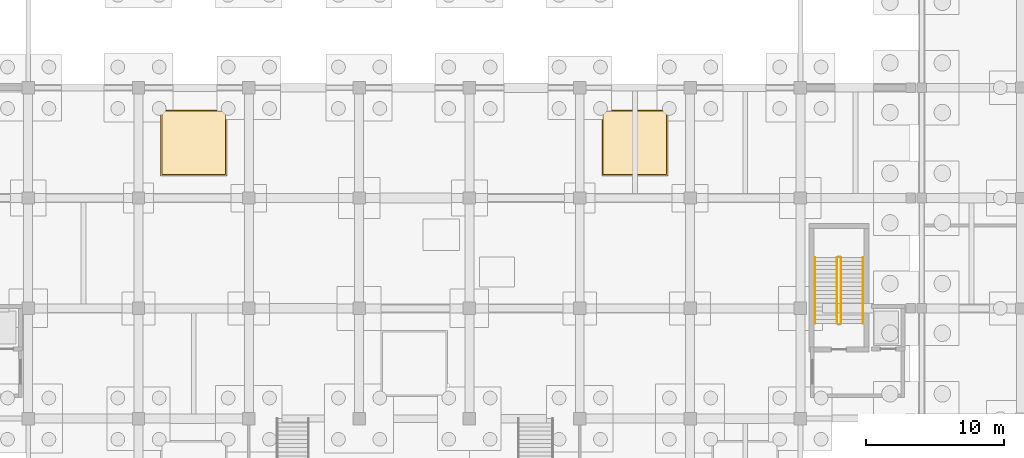
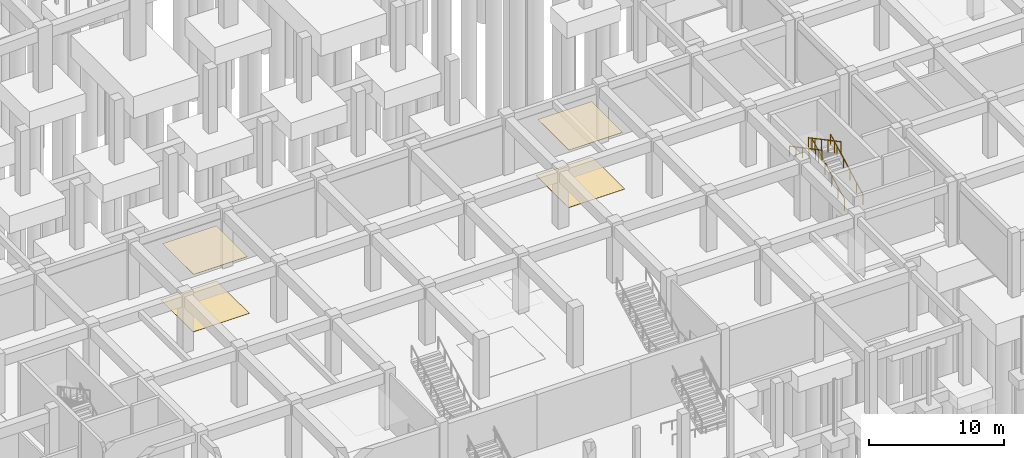
# One storey, part 39 of 45: 4 coverings, 4 railings.
"""IFC4 building model written with IfcOpenShell, lengths in metres."""

from ifc_helpers import new_model, si_unit, direction, frame, origin, origin_2d, place, context, subcontext, project, spatial, rectangle, circle, extrude, material, layer, layer_set, type_object, element, save


model = new_model("IFC4")

# Units and contexts
model_context = context("Model", 3, precision=1e-05, world=origin(), true_north=direction((0.0, 1.0)))
body_context = subcontext(model_context, "Body", "Model", "MODEL_VIEW")
ifc_project = project(units=[si_unit("LENGTHUNIT", "METRE"), si_unit("AREAUNIT", "SQUARE_METRE"), si_unit("VOLUMEUNIT", "CUBIC_METRE"), si_unit("PLANEANGLEUNIT", "RADIAN"), si_unit("MASSUNIT", "GRAM", prefix="KILO")], contexts=[model_context])

# Site, building, storey
site_placement = place(None, origin())
site = spatial("IfcSite", under=ifc_project, at=site_placement, CompositionType="ELEMENT")
building_placement = place(site_placement, origin())
building = spatial("IfcBuilding", under=site, at=building_placement, Name="Kenh Van Central Station", CompositionType="ELEMENT")
storey_placement = place(building_placement, frame((0.0, 0.0, -5.39990234375)))
storey = spatial("IfcBuildingStorey", under=building, at=storey_placement, Name="B1", CompositionType="ELEMENT", Elevation=-5.39990234375)

# Coverings
ifc_material_1 = material(Name="Perforated acoustic mineral ceiling board")
ifc_layer_1 = layer(ifc_material_1, 0.02490234375, Name="Perforated acoustic mineral ceiling board")
ifc_layer_set_1 = layer_set([ifc_layer_1], Name="Perforated acoustic mineral ceiling board")
covering_type_1 = type_object("IfcCoveringType", Name="COV-CEIL-ACOUST", PredefinedType="CEILING", material=ifc_layer_set_1)
for number, where, z_axis, x_axis, name in (
    (1, (68.0, 36.0, 5.076904296875), (0.0, 0.0, 1.0), (1.0, 0.0, 0.0), "B1 acoustic ceiling panel 007"),
    (2, (100.0, 36.0, 5.076904296875), (0.0, 0.0, 1.0), (1.0, 0.0, 0.0), "B1 acoustic ceiling panel 008"),
):
    element("IfcCovering", number, at=place(storey_placement, frame(where, z_axis=z_axis, x_axis=x_axis)), inside=storey, type_object=covering_type_1, Name=name, PredefinedType="CEILING", context=body_context, shape_type="SweptSolid", body=[
        extrude(rectangle(XDim=4.60009765625, YDim=4.60009765625, at=origin_2d()), origin(), (0.0, 0.0, 1.0), 0.02490234375),
    ])
ifc_material_2 = material(Name="Polished station granite terrazzo", Category="masonry")
ifc_layer_2 = layer(ifc_material_2, 0.02001953125, Name="Polished station granite terrazzo")
ifc_layer_set_2 = layer_set([ifc_layer_2], Name="Polished station granite terrazzo")
covering_type_2 = type_object("IfcCoveringType", Name="COV-FLR-GRANITE", PredefinedType="FLOORING", material=ifc_layer_set_2)
for number, where, z_axis, x_axis, name in (
    (3, (68.0, 36.0, 0.0), (0.0, 0.0, 1.0), (1.0, 0.0, 0.0), "B1 granite floor finish 007"),
    (4, (100.0, 36.0, 0.0), (0.0, 0.0, 1.0), (1.0, 0.0, 0.0), "B1 granite floor finish 008"),
):
    element("IfcCovering", number, at=place(storey_placement, frame(where, z_axis=z_axis, x_axis=x_axis)), inside=storey, type_object=covering_type_2, Name=name, PredefinedType="FLOORING", context=body_context, shape_type="SweptSolid", body=[
        extrude(rectangle(XDim=4.800048828125, YDim=4.800048828125, at=origin_2d()), origin(), (0.0, 0.0, 1.0), 0.02001953125),
    ])

# Railings
ifc_material_3 = material(Name="Champagne anodised aluminium", Category="aluminium")
railing_type_1 = type_object("IfcRailingType", Name="RAIL-CORE-GRD110", PredefinedType="GUARDRAIL", material=ifc_material_3)
railing_1_placement = place(storey_placement, frame((114.949951171875, 22.89990234375, 0.15869140625)))
element("IfcRailing", 5, at=railing_1_placement, inside=storey, type_object=railing_type_1, Name="B1 ST-04 stair guard 1", PredefinedType="GUARDRAIL", context=body_context, shape_type="SweptSolid", body=[
    extrude(circle(Radius=0.02392578125, at=origin_2d()), frame((0.0, 0.0, 1.076171875), z_axis=(0.0, 0.883783542688, 0.467895981682), x_axis=(-1.0, 0.0, 0.0)), (0.0, 0.0, 1.0), 5.43115234375),
    extrude(circle(Radius=0.02099609375, at=origin_2d()), origin(), (0.0, 0.0, 1.0), 1.052001953125),
    extrude(circle(Radius=0.02099609375, at=origin_2d()), frame((0.0, 0.9599609375, 0.50830078125)), (0.0, 0.0, 1.0), 1.052001953125),
    extrude(circle(Radius=0.02099609375, at=origin_2d()), frame((0.0, 1.919921875, 1.0166015625)), (0.0, 0.0, 1.0), 1.052001953125),
    extrude(circle(Radius=0.02099609375, at=origin_2d()), frame((0.0, 2.880126953125, 1.524658203125)), (0.0, 0.0, 1.0), 1.052001953125),
    extrude(circle(Radius=0.02099609375, at=origin_2d()), frame((0.0, 3.840087890625, 2.032958984375)), (0.0, 0.0, 1.0), 1.052001953125),
    extrude(circle(Radius=0.02099609375, at=origin_2d()), frame((0.0, 4.800048828125, 2.541259765625)), (0.0, 0.0, 1.0), 1.052001953125),
])
railing_2_placement = place(storey_placement, frame((114.64990234375, 27.699951171875, 2.858642578125)))
element("IfcRailing", 6, at=railing_2_placement, inside=storey, type_object=railing_type_1, Name="B1 ST-04 stair guard 3", PredefinedType="GUARDRAIL", context=body_context, shape_type="SweptSolid", body=[
    extrude(circle(Radius=0.02392578125, at=origin_2d()), frame((0.0, 0.0, 1.076171875), z_axis=(0.0, -0.883783542688, 0.467895981682), x_axis=(1.0, 0.0, 0.0)), (0.0, 0.0, 1.0), 5.43115234375),
    extrude(circle(Radius=0.02099609375, at=origin_2d()), origin(), (0.0, 0.0, 1.0), 1.052001953125),
    extrude(circle(Radius=0.02099609375, at=origin_2d()), frame((0.0, -0.9599609375, 0.50830078125)), (0.0, 0.0, 1.0), 1.052001953125),
    extrude(circle(Radius=0.02099609375, at=origin_2d()), frame((0.0, -1.919921875, 1.0166015625)), (0.0, 0.0, 1.0), 1.052001953125),
    extrude(circle(Radius=0.02099609375, at=origin_2d()), frame((0.0, -2.880126953125, 1.524658203125)), (0.0, 0.0, 1.0), 1.052001953125),
    extrude(circle(Radius=0.02099609375, at=origin_2d()), frame((0.0, -3.840087890625, 2.032958984375)), (0.0, 0.0, 1.0), 1.052001953125),
    extrude(circle(Radius=0.02099609375, at=origin_2d()), frame((0.0, -4.800048828125, 2.541259765625)), (0.0, 0.0, 1.0), 1.052001953125),
])
railing_type_2 = type_object("IfcRailingType", Name="RAIL-CORE-HND90", PredefinedType="HANDRAIL", material=ifc_material_3)
railing_3_placement = place(storey_placement, frame((116.550048828125, 22.89990234375, 0.15869140625)))
element("IfcRailing", 7, at=railing_3_placement, inside=storey, type_object=railing_type_2, Name="B1 ST-04 stair handrail 1", PredefinedType="HANDRAIL", context=body_context, shape_type="SweptSolid", body=[
    extrude(circle(Radius=0.02392578125, at=origin_2d()), frame((0.0, 0.0, 0.8759765625), z_axis=(0.0, 0.883783542688, 0.467895981682), x_axis=(-1.0, 0.0, 0.0)), (0.0, 0.0, 1.0), 5.43115234375),
    extrude(circle(Radius=0.02099609375, at=origin_2d()), origin(), (0.0, 0.0, 1.0), 0.851806640625),
    extrude(circle(Radius=0.02099609375, at=origin_2d()), frame((0.0, 0.9599609375, 0.50830078125)), (0.0, 0.0, 1.0), 0.851806640625),
    extrude(circle(Radius=0.02099609375, at=origin_2d()), frame((0.0, 1.919921875, 1.0166015625)), (0.0, 0.0, 1.0), 0.851806640625),
    extrude(circle(Radius=0.02099609375, at=origin_2d()), frame((0.0, 2.880126953125, 1.524658203125)), (0.0, 0.0, 1.0), 0.851806640625),
    extrude(circle(Radius=0.02099609375, at=origin_2d()), frame((0.0, 3.840087890625, 2.032958984375)), (0.0, 0.0, 1.0), 0.851806640625),
    extrude(circle(Radius=0.02099609375, at=origin_2d()), frame((0.0, 4.800048828125, 2.541259765625)), (0.0, 0.0, 1.0), 0.851806640625),
])
railing_4_placement = place(storey_placement, frame((113.050048828125, 27.699951171875, 2.858642578125)))
element("IfcRailing", 8, at=railing_4_placement, inside=storey, type_object=railing_type_2, Name="B1 ST-04 stair handrail 2", PredefinedType="HANDRAIL", context=body_context, shape_type="SweptSolid", body=[
    extrude(circle(Radius=0.02392578125, at=origin_2d()), frame((0.0, 0.0, 0.8759765625), z_axis=(0.0, -0.883783542688, 0.467895981682), x_axis=(1.0, 0.0, 0.0)), (0.0, 0.0, 1.0), 5.43115234375),
    extrude(circle(Radius=0.02099609375, at=origin_2d()), origin(), (0.0, 0.0, 1.0), 0.851806640625),
    extrude(circle(Radius=0.02099609375, at=origin_2d()), frame((0.0, -0.9599609375, 0.50830078125)), (0.0, 0.0, 1.0), 0.851806640625),
    extrude(circle(Radius=0.02099609375, at=origin_2d()), frame((0.0, -1.919921875, 1.0166015625)), (0.0, 0.0, 1.0), 0.851806640625),
    extrude(circle(Radius=0.02099609375, at=origin_2d()), frame((0.0, -2.880126953125, 1.524658203125)), (0.0, 0.0, 1.0), 0.851806640625),
    extrude(circle(Radius=0.02099609375, at=origin_2d()), frame((0.0, -3.840087890625, 2.032958984375)), (0.0, 0.0, 1.0), 0.851806640625),
    extrude(circle(Radius=0.02099609375, at=origin_2d()), frame((0.0, -4.800048828125, 2.541259765625)), (0.0, 0.0, 1.0), 0.851806640625),
])

save(model, "model.ifc")
